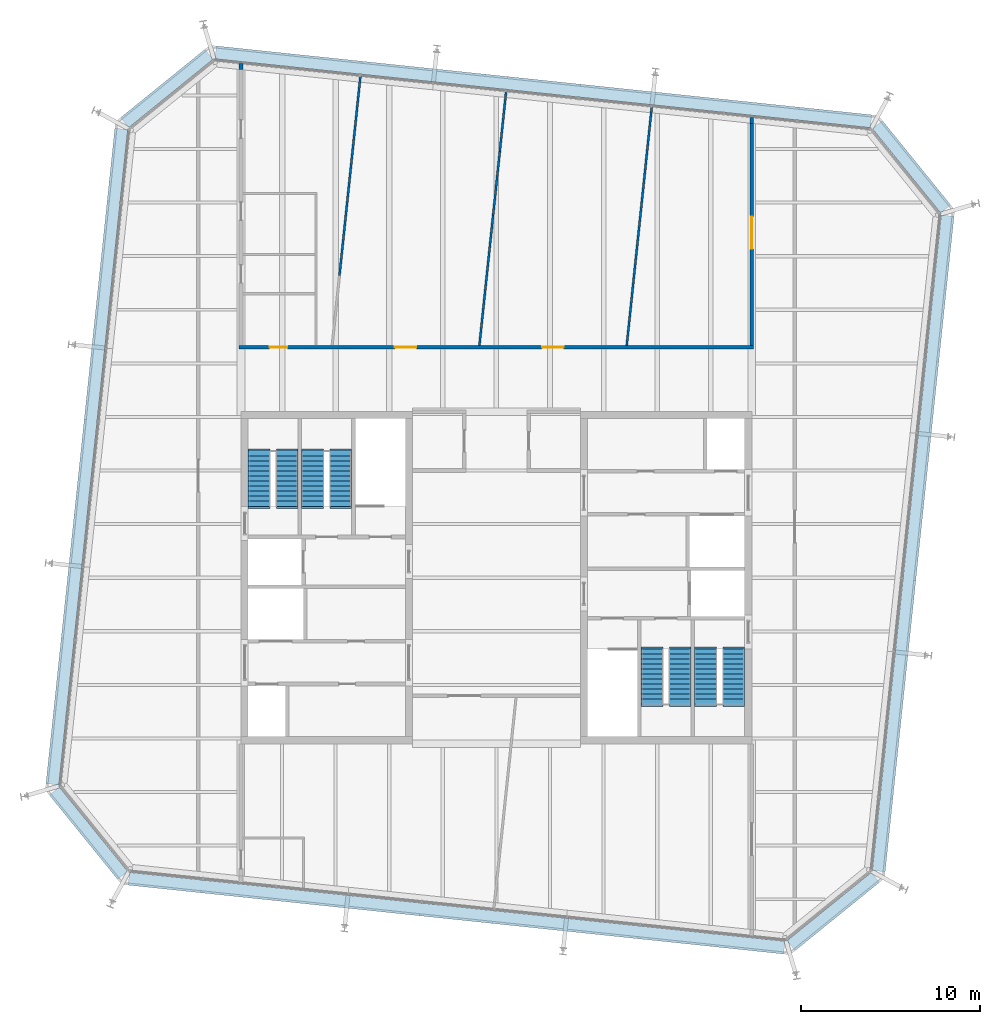
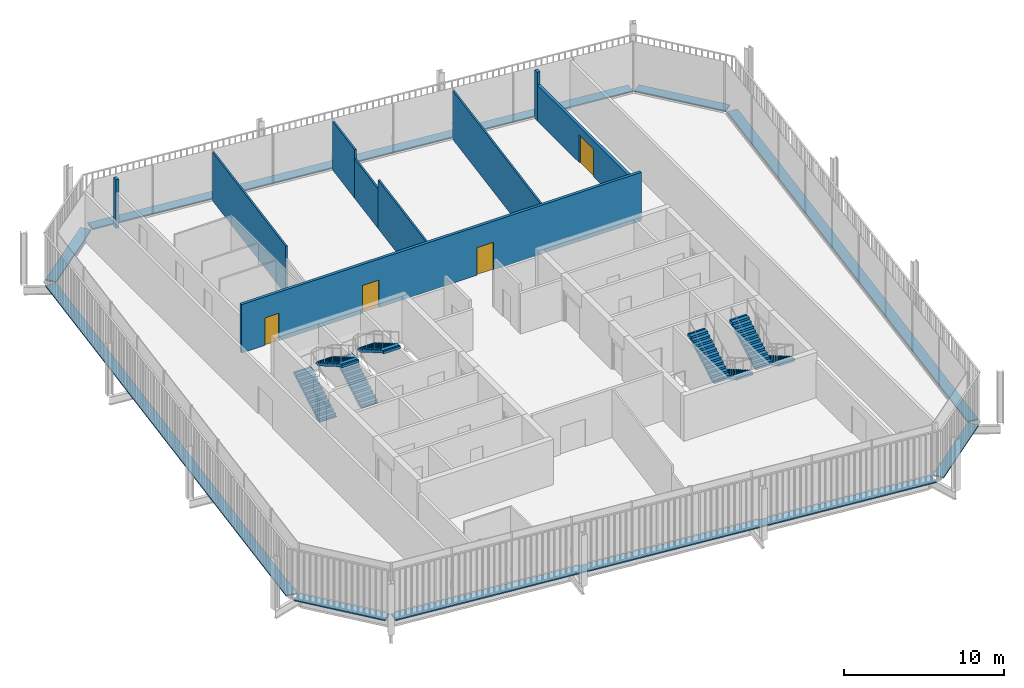
# One storey, part 18 of 19: 9 walls, 8 discrete accessories, 8 stair flights, 4 doors, 4 openings, 4 elements without a shape of their own.
"""IFC4 building model written with IfcOpenShell, lengths in metres."""

from ifc_helpers import new_model, si_unit, direction, frame, frame_2d, origin, origin_2d, place, context, subcontext, project, spatial, polyline, rectangle, outline, extrude, material, layer, layer_set, type_object, element, fill, aggregate, save


model = new_model("IFC4")

# Units and contexts
model_context = context("Model", 3, precision=1e-05, world=origin(), true_north=direction((0.0, 1.0)))
body_context = subcontext(model_context, "Body", "Model", "MODEL_VIEW")
ifc_project = project(units=[si_unit("LENGTHUNIT", "METRE"), si_unit("AREAUNIT", "SQUARE_METRE"), si_unit("VOLUMEUNIT", "CUBIC_METRE"), si_unit("PLANEANGLEUNIT", "RADIAN"), si_unit("MASSUNIT", "GRAM", prefix="KILO")], contexts=[model_context])

# Site, building, storey
site_placement = place(None, origin())
site = spatial("IfcSite", under=ifc_project, at=site_placement, CompositionType="ELEMENT")
building_placement = place(site_placement, origin())
building = spatial("IfcBuilding", under=site, at=building_placement, Name="Millrace Tower", CompositionType="ELEMENT")
storey_placement = place(building_placement, frame((0.0, 0.0, 338.199951171875)))
storey = spatial("IfcBuildingStorey", under=building, at=storey_placement, Name="L78", CompositionType="ELEMENT", Elevation=338.199951171875)

# Wall, openings, doors
ifc_material_1 = material(Name="Masonry partition, fire-rated", Category="masonry")
ifc_layer_1 = layer(ifc_material_1, 0.199951171875)
ifc_layer_set_1 = layer_set([ifc_layer_1], Name="Masonry partition, fire-rated")
wall_type_1 = type_object("IfcWallType", Name="Corridor wall 200", PredefinedType="PARTITIONING", material=ifc_layer_set_1)
wall_1_placement = place(storey_placement, frame((-14.39990234375, 12.89990234375, 0.0), z_axis=(0.0, 0.0, 1.0), x_axis=(1.0, 0.0, 0.0)))
wall_1 = element("IfcWall", 1, at=wall_1_placement, inside=storey, type_object=wall_type_1, Name="Corridor wall L78", PredefinedType="PARTITIONING", context=body_context, shape_type="SweptSolid", body=[
    extrude(rectangle(XDim=28.7998046875, YDim=0.199951171875, at=frame_2d((14.39990234375, 0.0))), origin(), (0.0, 0.0, 1.0), 3.699951171875),
])
opening_1_placement = place(wall_1_placement, frame((1.699951171875, 0.0, 0.0)))
opening_1 = element("IfcOpeningElement", 2, at=opening_1_placement, cuts=wall_1, Name="Opening 78-P005", PredefinedType="OPENING", context=body_context, shape_type="SweptSolid", body=[
    extrude(rectangle(XDim=1.0, YDim=2.10009765625, at=frame_2d((0.5, 1.050048828125))), frame((0.0, 0.10986328125, 0.0), z_axis=(0.0, -1.0, 0.0), x_axis=(1.0, 0.0, 0.0)), (0.0, 0.0, 1.0), 0.219970703125),
])
opening_2_placement = place(wall_1_placement, frame((8.714599609375, 0.0, 0.0)))
opening_2 = element("IfcOpeningElement", 3, at=opening_2_placement, cuts=wall_1, Name="Opening 78-P008", PredefinedType="OPENING", context=body_context, shape_type="SweptSolid", body=[
    extrude(rectangle(XDim=1.199951171875, YDim=2.10009765625, at=frame_2d((0.60009765625, 1.050048828125))), frame((0.0, 0.10986328125, 0.0), z_axis=(0.0, -1.0, 0.0), x_axis=(1.0, 0.0, 0.0)), (0.0, 0.0, 1.0), 0.219970703125),
])
opening_3_placement = place(wall_1_placement, frame((16.9599609375, 0.0, 0.0)))
opening_3 = element("IfcOpeningElement", 4, at=opening_3_placement, cuts=wall_1, Name="Opening 78-P009", PredefinedType="OPENING", context=body_context, shape_type="SweptSolid", body=[
    extrude(rectangle(XDim=1.199951171875, YDim=2.10009765625, at=frame_2d((0.60009765625, 1.050048828125))), frame((0.0, 0.10986328125, 0.0), z_axis=(0.0, -1.0, 0.0), x_axis=(1.0, 0.0, 0.0)), (0.0, 0.0, 1.0), 0.219970703125),
])
ifc_material_2 = material(Name="Steel door set, fire-rated", Category="steel")
door_type_1 = type_object("IfcDoorType", Name="Corridor door 1000 x 2100", OperationType="SINGLE_SWING_LEFT", PredefinedType="DOOR", material=ifc_material_2)
door_1_placement = place(opening_1_placement, origin())
door_1 = element("IfcDoor", 5, at=door_1_placement, inside=storey, type_object=door_type_1, Name="Door 78-P005", OperationType="SINGLE_SWING_LEFT", OverallHeight=2.10009765625, OverallWidth=1.0, PredefinedType="DOOR", context=body_context, shape_type="SweptSolid", body=[
    extrude(rectangle(XDim=1.0, YDim=2.10009765625, at=frame_2d((0.5, 1.050048828125))), frame((0.0, 0.02490234375, 0.0), z_axis=(0.0, -1.0, 0.0), x_axis=(1.0, 0.0, 0.0)), (0.0, 0.0, 1.0), 0.050048828125),
])
fill(opening_1, door_1)
ifc_material_3 = material(Name="Steel door set, fire-rated", Category="steel")
door_type_2 = type_object("IfcDoorType", Name="Corridor door 1200 x 2100", OperationType="SINGLE_SWING_LEFT", PredefinedType="DOOR", material=ifc_material_3)
door_2_placement = place(opening_2_placement, origin())
door_2 = element("IfcDoor", 6, at=door_2_placement, inside=storey, type_object=door_type_2, Name="Door 78-P008", OperationType="SINGLE_SWING_LEFT", OverallHeight=2.10009765625, OverallWidth=1.199951171875, PredefinedType="DOOR", context=body_context, shape_type="SweptSolid", body=[
    extrude(rectangle(XDim=1.199951171875, YDim=2.10009765625, at=frame_2d((0.60009765625, 1.050048828125))), frame((0.0, 0.02490234375, 0.0), z_axis=(0.0, -1.0, 0.0), x_axis=(1.0, 0.0, 0.0)), (0.0, 0.0, 1.0), 0.050048828125),
])
fill(opening_2, door_2)
door_3_placement = place(opening_3_placement, origin())
door_3 = element("IfcDoor", 7, at=door_3_placement, inside=storey, type_object=door_type_2, Name="Door 78-P009", OperationType="SINGLE_SWING_RIGHT", OverallHeight=2.10009765625, OverallWidth=1.199951171875, PredefinedType="DOOR", context=body_context, shape_type="SweptSolid", body=[
    extrude(rectangle(XDim=1.199951171875, YDim=2.10009765625, at=frame_2d((0.60009765625, 1.050048828125))), frame((0.0, 0.02490234375, 0.0), z_axis=(0.0, -1.0, 0.0), x_axis=(1.0, 0.0, 0.0)), (0.0, 0.0, 1.0), 0.050048828125),
])
fill(opening_3, door_3)

# Wall, opening, door
wall_2_placement = place(storey_placement, frame((14.300048828125, 13.0, 0.0), z_axis=(0.0, 0.0, 1.0), x_axis=(0.0, 1.0, 0.0)))
wall_2 = element("IfcWall", 8, at=wall_2_placement, inside=storey, type_object=wall_type_1, Name="Corridor wall L78", PredefinedType="PARTITIONING", context=body_context, shape_type="SweptSolid", body=[
    extrude(rectangle(XDim=12.434326171875, YDim=0.199951171875, at=frame_2d((6.21728515625, 0.0))), origin(), (0.0, 0.0, 1.0), 2.752685546875),
])
opening_4_placement = place(wall_2_placement, frame((5.41162109375, 0.0, 0.0)))
opening_4 = element("IfcOpeningElement", 9, at=opening_4_placement, cuts=wall_2, Name="Opening 78-P010", PredefinedType="OPENING", context=body_context, shape_type="SweptSolid", body=[
    extrude(rectangle(XDim=1.800048828125, YDim=2.10009765625, at=frame_2d((0.89990234375, 1.050048828125))), frame((0.0, 0.10986328125, 0.0), z_axis=(0.0, -1.0, 0.0), x_axis=(1.0, 0.0, 0.0)), (0.0, 0.0, 1.0), 0.219970703125),
])
ifc_material_4 = material(Name="Steel door set, fire-rated", Category="steel")
door_type_3 = type_object("IfcDoorType", Name="Corridor door 1800 x 2100", OperationType="DOUBLE_DOOR_SINGLE_SWING", PredefinedType="DOOR", material=ifc_material_4)
door_4_placement = place(opening_4_placement, origin())
door_4 = element("IfcDoor", 10, at=door_4_placement, inside=storey, type_object=door_type_3, Name="Door 78-P010", OperationType="DOUBLE_DOOR_SINGLE_SWING", OverallHeight=2.10009765625, OverallWidth=1.800048828125, PredefinedType="DOOR", context=body_context, shape_type="SweptSolid", body=[
    extrude(rectangle(XDim=1.800048828125, YDim=2.10009765625, at=frame_2d((0.89990234375, 1.050048828125))), frame((0.0, 0.02490234375, 0.0), z_axis=(0.0, -1.0, 0.0), x_axis=(1.0, 0.0, 0.0)), (0.0, 0.0, 1.0), 0.050048828125),
])
fill(opening_4, door_4)

# Walls
wall_3_placement = place(storey_placement, frame((14.300048828125, 25.434326171875, 0.0), z_axis=(0.0, 0.0, 1.0), x_axis=(0.0, 1.0, 0.0)))
element("IfcWall", 11, at=wall_3_placement, inside=storey, type_object=wall_type_1, Name="Corridor wall L78", PredefinedType="PARTITIONING", context=body_context, shape_type="SweptSolid", body=[
    extrude(rectangle(XDim=0.339111328125, YDim=0.199951171875, at=frame_2d((0.16943359375, 0.0))), origin(), (0.0, 0.0, 1.0), 3.699951171875),
])
wall_4_placement = place(storey_placement, frame((-14.300048828125, 28.440185546875, 0.0), z_axis=(0.0, 0.0, 1.0), x_axis=(0.0, 1.0, 0.0)))
element("IfcWall", 12, at=wall_4_placement, inside=storey, type_object=wall_type_1, Name="Corridor wall L78", PredefinedType="PARTITIONING", context=body_context, shape_type="SweptSolid", body=[
    extrude(rectangle(XDim=0.33935546875, YDim=0.199951171875, at=frame_2d((0.169677734375, 0.0))), origin(), (0.0, 0.0, 1.0), 3.699951171875),
])
ifc_material_5 = material(Name="Gypsum board partition")
ifc_layer_2 = layer(ifc_material_5, 0.1201171875)
ifc_layer_set_2 = layer_set([ifc_layer_2], Name="Gypsum board partition")
wall_type_2 = type_object("IfcWallType", Name="Partition wall 120", PredefinedType="PARTITIONING", material=ifc_layer_set_2)
wall_5_placement = place(storey_placement, frame((7.29345703125, 12.99951171875, 0.0), z_axis=(0.0, 0.0, 1.0), x_axis=(0.104478587956, 0.99452713621, 0.0)))
element("IfcWall", 13, at=wall_5_placement, inside=storey, type_object=wall_type_2, Name="Partition wall L78", PredefinedType="PARTITIONING", context=body_context, shape_type="SweptSolid", body=[
    extrude(rectangle(XDim=13.436279296875, YDim=0.1201171875, at=frame_2d((6.71826171875, 0.0))), origin(), (0.0, 0.0, 1.0), 3.699951171875),
])
wall_6_placement = place(storey_placement, frame((-0.95263671875, 12.99951171875, 0.0), z_axis=(0.0, 0.0, 1.0), x_axis=(0.104545776882, 0.994520075482, 0.0)))
element("IfcWall", 14, at=wall_6_placement, inside=storey, type_object=wall_type_2, Name="Partition wall L78", PredefinedType="PARTITIONING", context=body_context, shape_type="SweptSolid", body=[
    extrude(rectangle(XDim=7.31396484375, YDim=0.1201171875, at=frame_2d((3.656982421875, 0.0))), origin(), (0.0, 0.0, 1.0), 3.699951171875),
])
wall_7_placement = place(storey_placement, frame((-0.18798828125, 20.2734375, 0.0), z_axis=(0.0, 0.0, 1.0), x_axis=(0.104564611651, 0.994518095356, 0.0)))
element("IfcWall", 15, at=wall_7_placement, inside=storey, type_object=wall_type_2, Name="Partition wall L78", PredefinedType="PARTITIONING", context=body_context, shape_type="SweptSolid", body=[
    extrude(rectangle(XDim=3.595703125, YDim=0.1201171875, at=frame_2d((1.7978515625, 0.0))), origin(), (0.0, 0.0, 1.0), 3.006591796875),
])
wall_8_placement = place(storey_placement, frame((0.18798828125, 23.849365234375, 0.0), z_axis=(0.0, 0.0, 1.0), x_axis=(0.104538520452, 0.994520838264, 0.0)))
element("IfcWall", 16, at=wall_8_placement, inside=storey, type_object=wall_type_2, Name="Partition wall L78", PredefinedType="PARTITIONING", context=body_context, shape_type="SweptSolid", body=[
    extrude(rectangle(XDim=3.388671875, YDim=0.1201171875, at=frame_2d((1.6943359375, 0.0))), origin(), (0.0, 0.0, 1.0), 3.699951171875),
])
wall_9_placement = place(storey_placement, frame((-8.78662109375, 16.90869140625, 0.0), z_axis=(0.0, 0.0, 1.0), x_axis=(0.10453086869, 0.994521642545, 0.0)))
element("IfcWall", 17, at=wall_9_placement, inside=storey, type_object=wall_type_2, Name="Partition wall L78", PredefinedType="PARTITIONING", context=body_context, shape_type="SweptSolid", body=[
    extrude(rectangle(XDim=11.2294921875, YDim=0.1201171875, at=frame_2d((5.61474609375, 0.0))), origin(), (0.0, 0.0, 1.0), 3.699951171875),
])

# Stair, stair flights
ifc_material_6 = material(Name="Concrete C35", Category="concrete")
stair_type = type_object("IfcStairType", Name="Exit stair", PredefinedType="HALF_TURN_STAIR", material=ifc_material_6)
placement = place(storey_placement, origin())
stair_1 = element("IfcStair", 18, at=placement, inside=storey, type_object=stair_type, Name="Stair 1 W L78", PredefinedType="HALF_TURN_STAIR")
ifc_material_7 = material(Name="Concrete C35", Category="concrete")
stair_flight_type = type_object("IfcStairFlightType", Name="Exit stair flight", PredefinedType="STRAIGHT", material=ifc_material_7)
stair_flight_1_placement = place(storey_placement, frame((-13.2900390625, 4.0, 0.0), z_axis=(0.0, 0.0, 1.0), x_axis=(0.0, 1.0, 0.0)))
stair_flight_1 = element("IfcStairFlight", 19, at=stair_flight_1_placement, type_object=stair_flight_type, Name="ST12 flight 1", NumberOfRisers=12, NumberOfTreads=11, PredefinedType="STRAIGHT", RiserHeight=0.1625, TreadLength=0.28, context=body_context, shape_type="SweptSolid", body=[
    extrude(outline(polyline([(-0.1201171875, -0.0400390625), (-0.1201171875, 0.0), (0.0, 0.0), (0.0, 0.16259765625), (0.280029296875, 0.16259765625), (0.280029296875, 0.324951171875), (0.56005859375, 0.324951171875), (0.56005859375, 0.487548828125), (0.840087890625, 0.487548828125), (0.840087890625, 0.64990234375), (1.1201171875, 0.64990234375), (1.1201171875, 0.8125), (1.39990234375, 0.8125), (1.39990234375, 0.97509765625), (1.679931640625, 0.97509765625), (1.679931640625, 1.137451171875), (1.9599609375, 1.137451171875), (1.9599609375, 1.300048828125), (2.239990234375, 1.300048828125), (2.239990234375, 1.46240234375), (2.52001953125, 1.46240234375), (2.52001953125, 1.625), (2.800048828125, 1.625), (2.800048828125, 1.78759765625), (3.080078125, 1.78759765625), (3.080078125, 1.8076171875), (3.199951171875, 1.8076171875), (3.199951171875, 1.6142578125), (3.080078125, 1.6142578125), (0.298583984375, 0.0), (0.298583984375, -0.0400390625), (-0.1201171875, -0.0400390625)])), frame((0.0, 0.60986328125, 0.0), z_axis=(0.0, -1.0, 0.0), x_axis=(1.0, 0.0, 0.0)), (0.0, 0.0, 1.0), 1.219970703125),
])
stair_flight_2_placement = place(storey_placement, frame((-11.7099609375, 7.080078125, 1.949951171875), z_axis=(0.0, 0.0, 1.0), x_axis=(0.0, -1.0, 0.0)))
stair_flight_2 = element("IfcStairFlight", 20, at=stair_flight_2_placement, type_object=stair_flight_type, Name="ST12 flight 2", NumberOfRisers=12, NumberOfTreads=11, PredefinedType="STRAIGHT", RiserHeight=0.1625, TreadLength=0.28, context=body_context, shape_type="SweptSolid", body=[
    extrude(outline(polyline([(-0.1201171875, -0.0400390625), (-0.1201171875, 0.0), (0.0, 0.0), (0.0, 0.16259765625), (0.280029296875, 0.16259765625), (0.280029296875, 0.324951171875), (0.56005859375, 0.324951171875), (0.56005859375, 0.487548828125), (0.840087890625, 0.487548828125), (0.840087890625, 0.64990234375), (1.1201171875, 0.64990234375), (1.1201171875, 0.8125), (1.39990234375, 0.8125), (1.39990234375, 0.97509765625), (1.679931640625, 0.97509765625), (1.679931640625, 1.137451171875), (1.9599609375, 1.137451171875), (1.9599609375, 1.300048828125), (2.239990234375, 1.300048828125), (2.239990234375, 1.46240234375), (2.52001953125, 1.46240234375), (2.52001953125, 1.625), (2.800048828125, 1.625), (2.800048828125, 1.78759765625), (3.080078125, 1.78759765625), (3.080078125, 1.8076171875), (3.199951171875, 1.8076171875), (3.199951171875, 1.6142578125), (3.080078125, 1.6142578125), (0.298583984375, 0.0), (0.298583984375, -0.0400390625), (-0.1201171875, -0.0400390625)])), frame((0.0, 0.60986328125, 0.0), z_axis=(0.0, -1.0, 0.0), x_axis=(1.0, 0.0, 0.0)), (0.0, 0.0, 1.0), 1.219970703125),
])
aggregate(stair_1, [stair_flight_1, stair_flight_2])

stair_2 = element("IfcStair", 21, at=placement, inside=storey, type_object=stair_type, Name="Stair 2 W L78", PredefinedType="HALF_TURN_STAIR")
stair_flight_3_placement = place(storey_placement, frame((-10.2900390625, 4.0, 0.0), z_axis=(0.0, 0.0, 1.0), x_axis=(0.0, 1.0, 0.0)))
stair_flight_3 = element("IfcStairFlight", 22, at=stair_flight_3_placement, type_object=stair_flight_type, Name="ST12 flight 1", NumberOfRisers=12, NumberOfTreads=11, PredefinedType="STRAIGHT", RiserHeight=0.1625, TreadLength=0.28, context=body_context, shape_type="SweptSolid", body=[
    extrude(outline(polyline([(-0.1201171875, -0.0400390625), (-0.1201171875, 0.0), (0.0, 0.0), (0.0, 0.16259765625), (0.280029296875, 0.16259765625), (0.280029296875, 0.324951171875), (0.56005859375, 0.324951171875), (0.56005859375, 0.487548828125), (0.840087890625, 0.487548828125), (0.840087890625, 0.64990234375), (1.1201171875, 0.64990234375), (1.1201171875, 0.8125), (1.39990234375, 0.8125), (1.39990234375, 0.97509765625), (1.679931640625, 0.97509765625), (1.679931640625, 1.137451171875), (1.9599609375, 1.137451171875), (1.9599609375, 1.300048828125), (2.239990234375, 1.300048828125), (2.239990234375, 1.46240234375), (2.52001953125, 1.46240234375), (2.52001953125, 1.625), (2.800048828125, 1.625), (2.800048828125, 1.78759765625), (3.080078125, 1.78759765625), (3.080078125, 1.8076171875), (3.199951171875, 1.8076171875), (3.199951171875, 1.6142578125), (3.080078125, 1.6142578125), (0.298583984375, 0.0), (0.298583984375, -0.0400390625), (-0.1201171875, -0.0400390625)])), frame((0.0, 0.60986328125, 0.0), z_axis=(0.0, -1.0, 0.0), x_axis=(1.0, 0.0, 0.0)), (0.0, 0.0, 1.0), 1.219970703125),
])
stair_flight_4_placement = place(storey_placement, frame((-8.7099609375, 7.080078125, 1.949951171875), z_axis=(0.0, 0.0, 1.0), x_axis=(0.0, -1.0, 0.0)))
stair_flight_4 = element("IfcStairFlight", 23, at=stair_flight_4_placement, type_object=stair_flight_type, Name="ST12 flight 2", NumberOfRisers=12, NumberOfTreads=11, PredefinedType="STRAIGHT", RiserHeight=0.1625, TreadLength=0.28, context=body_context, shape_type="SweptSolid", body=[
    extrude(outline(polyline([(-0.1201171875, -0.0400390625), (-0.1201171875, 0.0), (0.0, 0.0), (0.0, 0.16259765625), (0.280029296875, 0.16259765625), (0.280029296875, 0.324951171875), (0.56005859375, 0.324951171875), (0.56005859375, 0.487548828125), (0.840087890625, 0.487548828125), (0.840087890625, 0.64990234375), (1.1201171875, 0.64990234375), (1.1201171875, 0.8125), (1.39990234375, 0.8125), (1.39990234375, 0.97509765625), (1.679931640625, 0.97509765625), (1.679931640625, 1.137451171875), (1.9599609375, 1.137451171875), (1.9599609375, 1.300048828125), (2.239990234375, 1.300048828125), (2.239990234375, 1.46240234375), (2.52001953125, 1.46240234375), (2.52001953125, 1.625), (2.800048828125, 1.625), (2.800048828125, 1.78759765625), (3.080078125, 1.78759765625), (3.080078125, 1.8076171875), (3.199951171875, 1.8076171875), (3.199951171875, 1.6142578125), (3.080078125, 1.6142578125), (0.298583984375, 0.0), (0.298583984375, -0.0400390625), (-0.1201171875, -0.0400390625)])), frame((0.0, 0.60986328125, 0.0), z_axis=(0.0, -1.0, 0.0), x_axis=(1.0, 0.0, 0.0)), (0.0, 0.0, 1.0), 1.219970703125),
])
aggregate(stair_2, [stair_flight_3, stair_flight_4])

stair_3 = element("IfcStair", 24, at=placement, inside=storey, type_object=stair_type, Name="Stair 1 E L78", PredefinedType="HALF_TURN_STAIR")
stair_flight_5_placement = place(storey_placement, frame((13.2900390625, -4.0, 0.0), z_axis=(0.0, 0.0, 1.0), x_axis=(0.0, -1.0, 0.0)))
stair_flight_5 = element("IfcStairFlight", 25, at=stair_flight_5_placement, type_object=stair_flight_type, Name="ST12 flight 1", NumberOfRisers=12, NumberOfTreads=11, PredefinedType="STRAIGHT", RiserHeight=0.1625, TreadLength=0.28, context=body_context, shape_type="SweptSolid", body=[
    extrude(outline(polyline([(-0.1201171875, -0.0400390625), (-0.1201171875, 0.0), (0.0, 0.0), (0.0, 0.16259765625), (0.280029296875, 0.16259765625), (0.280029296875, 0.324951171875), (0.56005859375, 0.324951171875), (0.56005859375, 0.487548828125), (0.840087890625, 0.487548828125), (0.840087890625, 0.64990234375), (1.1201171875, 0.64990234375), (1.1201171875, 0.8125), (1.39990234375, 0.8125), (1.39990234375, 0.97509765625), (1.679931640625, 0.97509765625), (1.679931640625, 1.137451171875), (1.9599609375, 1.137451171875), (1.9599609375, 1.300048828125), (2.239990234375, 1.300048828125), (2.239990234375, 1.46240234375), (2.52001953125, 1.46240234375), (2.52001953125, 1.625), (2.800048828125, 1.625), (2.800048828125, 1.78759765625), (3.080078125, 1.78759765625), (3.080078125, 1.8076171875), (3.199951171875, 1.8076171875), (3.199951171875, 1.6142578125), (3.080078125, 1.6142578125), (0.298583984375, 0.0), (0.298583984375, -0.0400390625), (-0.1201171875, -0.0400390625)])), frame((0.0, 0.60986328125, 0.0), z_axis=(0.0, -1.0, 0.0), x_axis=(1.0, 0.0, 0.0)), (0.0, 0.0, 1.0), 1.219970703125),
])
stair_flight_6_placement = place(storey_placement, frame((11.7099609375, -7.080078125, 1.949951171875), z_axis=(0.0, 0.0, 1.0), x_axis=(0.0, 1.0, 0.0)))
stair_flight_6 = element("IfcStairFlight", 26, at=stair_flight_6_placement, type_object=stair_flight_type, Name="ST12 flight 2", NumberOfRisers=12, NumberOfTreads=11, PredefinedType="STRAIGHT", RiserHeight=0.1625, TreadLength=0.28, context=body_context, shape_type="SweptSolid", body=[
    extrude(outline(polyline([(-0.1201171875, -0.0400390625), (-0.1201171875, 0.0), (0.0, 0.0), (0.0, 0.16259765625), (0.280029296875, 0.16259765625), (0.280029296875, 0.324951171875), (0.56005859375, 0.324951171875), (0.56005859375, 0.487548828125), (0.840087890625, 0.487548828125), (0.840087890625, 0.64990234375), (1.1201171875, 0.64990234375), (1.1201171875, 0.8125), (1.39990234375, 0.8125), (1.39990234375, 0.97509765625), (1.679931640625, 0.97509765625), (1.679931640625, 1.137451171875), (1.9599609375, 1.137451171875), (1.9599609375, 1.300048828125), (2.239990234375, 1.300048828125), (2.239990234375, 1.46240234375), (2.52001953125, 1.46240234375), (2.52001953125, 1.625), (2.800048828125, 1.625), (2.800048828125, 1.78759765625), (3.080078125, 1.78759765625), (3.080078125, 1.8076171875), (3.199951171875, 1.8076171875), (3.199951171875, 1.6142578125), (3.080078125, 1.6142578125), (0.298583984375, 0.0), (0.298583984375, -0.0400390625), (-0.1201171875, -0.0400390625)])), frame((0.0, 0.60986328125, 0.0), z_axis=(0.0, -1.0, 0.0), x_axis=(1.0, 0.0, 0.0)), (0.0, 0.0, 1.0), 1.219970703125),
])
aggregate(stair_3, [stair_flight_5, stair_flight_6])

stair_4 = element("IfcStair", 27, at=placement, inside=storey, type_object=stair_type, Name="Stair 2 E L78", PredefinedType="HALF_TURN_STAIR")
stair_flight_7_placement = place(storey_placement, frame((10.2900390625, -4.0, 0.0), z_axis=(0.0, 0.0, 1.0), x_axis=(0.0, -1.0, 0.0)))
stair_flight_7 = element("IfcStairFlight", 28, at=stair_flight_7_placement, type_object=stair_flight_type, Name="ST12 flight 1", NumberOfRisers=12, NumberOfTreads=11, PredefinedType="STRAIGHT", RiserHeight=0.1625, TreadLength=0.28, context=body_context, shape_type="SweptSolid", body=[
    extrude(outline(polyline([(-0.1201171875, -0.0400390625), (-0.1201171875, 0.0), (0.0, 0.0), (0.0, 0.16259765625), (0.280029296875, 0.16259765625), (0.280029296875, 0.324951171875), (0.56005859375, 0.324951171875), (0.56005859375, 0.487548828125), (0.840087890625, 0.487548828125), (0.840087890625, 0.64990234375), (1.1201171875, 0.64990234375), (1.1201171875, 0.8125), (1.39990234375, 0.8125), (1.39990234375, 0.97509765625), (1.679931640625, 0.97509765625), (1.679931640625, 1.137451171875), (1.9599609375, 1.137451171875), (1.9599609375, 1.300048828125), (2.239990234375, 1.300048828125), (2.239990234375, 1.46240234375), (2.52001953125, 1.46240234375), (2.52001953125, 1.625), (2.800048828125, 1.625), (2.800048828125, 1.78759765625), (3.080078125, 1.78759765625), (3.080078125, 1.8076171875), (3.199951171875, 1.8076171875), (3.199951171875, 1.6142578125), (3.080078125, 1.6142578125), (0.298583984375, 0.0), (0.298583984375, -0.0400390625), (-0.1201171875, -0.0400390625)])), frame((0.0, 0.60986328125, 0.0), z_axis=(0.0, -1.0, 0.0), x_axis=(1.0, 0.0, 0.0)), (0.0, 0.0, 1.0), 1.219970703125),
])
stair_flight_8_placement = place(storey_placement, frame((8.7099609375, -7.080078125, 1.949951171875), z_axis=(0.0, 0.0, 1.0), x_axis=(0.0, 1.0, 0.0)))
stair_flight_8 = element("IfcStairFlight", 29, at=stair_flight_8_placement, type_object=stair_flight_type, Name="ST12 flight 2", NumberOfRisers=12, NumberOfTreads=11, PredefinedType="STRAIGHT", RiserHeight=0.1625, TreadLength=0.28, context=body_context, shape_type="SweptSolid", body=[
    extrude(outline(polyline([(-0.1201171875, -0.0400390625), (-0.1201171875, 0.0), (0.0, 0.0), (0.0, 0.16259765625), (0.280029296875, 0.16259765625), (0.280029296875, 0.324951171875), (0.56005859375, 0.324951171875), (0.56005859375, 0.487548828125), (0.840087890625, 0.487548828125), (0.840087890625, 0.64990234375), (1.1201171875, 0.64990234375), (1.1201171875, 0.8125), (1.39990234375, 0.8125), (1.39990234375, 0.97509765625), (1.679931640625, 0.97509765625), (1.679931640625, 1.137451171875), (1.9599609375, 1.137451171875), (1.9599609375, 1.300048828125), (2.239990234375, 1.300048828125), (2.239990234375, 1.46240234375), (2.52001953125, 1.46240234375), (2.52001953125, 1.625), (2.800048828125, 1.625), (2.800048828125, 1.78759765625), (3.080078125, 1.78759765625), (3.080078125, 1.8076171875), (3.199951171875, 1.8076171875), (3.199951171875, 1.6142578125), (3.080078125, 1.6142578125), (0.298583984375, 0.0), (0.298583984375, -0.0400390625), (-0.1201171875, -0.0400390625)])), frame((0.0, 0.60986328125, 0.0), z_axis=(0.0, -1.0, 0.0), x_axis=(1.0, 0.0, 0.0)), (0.0, 0.0, 1.0), 1.219970703125),
])
aggregate(stair_4, [stair_flight_7, stair_flight_8])

# Discrete accessories
ifc_material_8 = material(Name="Stainless steel ASTM A240 type 316", Category="steel")
discrete_accessory_type = type_object("IfcDiscreteAccessoryType", Name="Thermally broken screen support rail", PredefinedType="BRACKET", material=ifc_material_8)
discrete_accessory_1_placement = place(storey_placement, frame((-22.836669921875, -14.304931640625, 0.0), z_axis=(0.0, 0.0, 1.0), x_axis=(0.629320278945, -0.777146052237, 0.0)))
element("IfcDiscreteAccessory", 30, at=discrete_accessory_1_placement, inside=storey, type_object=discrete_accessory_type, Name="Thermally broken screen support rail E-F01 L78 1", PredefinedType="BRACKET", context=body_context, shape_type="SweptSolid", body=[
    extrude(rectangle(XDim=6.0810546875, YDim=0.719970703125, at=origin_2d()), origin(), (0.0, 0.0, 1.0), 0.10009765625),
])
discrete_accessory_2_placement = place(storey_placement, frame((-2.2314453125, -18.782470703125, 0.0), z_axis=(0.0, 0.0, 1.0), x_axis=(0.994521896217, -0.104528455196, 0.0)))
element("IfcDiscreteAccessory", 31, at=discrete_accessory_2_placement, inside=storey, type_object=discrete_accessory_type, Name="Thermally broken screen support rail E-F02 L78 1", PredefinedType="BRACKET", context=body_context, shape_type="SweptSolid", body=[
    extrude(rectangle(XDim=36.89990234375, YDim=0.719970703125, at=origin_2d()), origin(), (0.0, 0.0, 1.0), 0.10009765625),
])
discrete_accessory_3_placement = place(storey_placement, frame((18.854736328125, -18.686767578125, 0.0), z_axis=(0.0, 0.0, 1.0), x_axis=(0.777146052237, 0.629320278945, 0.0)))
element("IfcDiscreteAccessory", 32, at=discrete_accessory_3_placement, inside=storey, type_object=discrete_accessory_type, Name="Thermally broken screen support rail E-F03 L78 1", PredefinedType="BRACKET", context=body_context, shape_type="SweptSolid", body=[
    extrude(rectangle(XDim=6.0810546875, YDim=0.719970703125, at=origin_2d()), origin(), (0.0, 0.0, 1.0), 0.10009765625),
])
discrete_accessory_4_placement = place(storey_placement, frame((23.33251953125, 1.918701171875, 0.0), z_axis=(0.0, 0.0, 1.0), x_axis=(0.104528455196, 0.994521896217, 0.0)))
element("IfcDiscreteAccessory", 33, at=discrete_accessory_4_placement, inside=storey, type_object=discrete_accessory_type, Name="Thermally broken screen support rail E-F04 L78 1", PredefinedType="BRACKET", context=body_context, shape_type="SweptSolid", body=[
    extrude(rectangle(XDim=36.89990234375, YDim=0.719970703125, at=origin_2d()), origin(), (0.0, 0.0, 1.0), 0.10009765625),
])
discrete_accessory_5_placement = place(storey_placement, frame((23.23681640625, 23.0048828125, 0.0), z_axis=(0.0, 0.0, 1.0), x_axis=(-0.629320278945, 0.777146052237, 0.0)))
element("IfcDiscreteAccessory", 34, at=discrete_accessory_5_placement, inside=storey, type_object=discrete_accessory_type, Name="Thermally broken screen support rail E-F05 L78 1", PredefinedType="BRACKET", context=body_context, shape_type="SweptSolid", body=[
    extrude(rectangle(XDim=6.0810546875, YDim=0.719970703125, at=origin_2d()), origin(), (0.0, 0.0, 1.0), 0.10009765625),
])
discrete_accessory_6_placement = place(storey_placement, frame((2.63134765625, 27.482666015625, 0.0), z_axis=(0.0, 0.0, 1.0), x_axis=(-0.994521896217, 0.104528455196, 0.0)))
element("IfcDiscreteAccessory", 35, at=discrete_accessory_6_placement, inside=storey, type_object=discrete_accessory_type, Name="Thermally broken screen support rail E-F06 L78 1", PredefinedType="BRACKET", context=body_context, shape_type="SweptSolid", body=[
    extrude(rectangle(XDim=36.89990234375, YDim=0.719970703125, at=origin_2d()), origin(), (0.0, 0.0, 1.0), 0.10009765625),
])
discrete_accessory_7_placement = place(storey_placement, frame((-18.454833984375, 27.38671875, 0.0), z_axis=(0.0, 0.0, 1.0), x_axis=(-0.777146052237, -0.629320278945, 0.0)))
element("IfcDiscreteAccessory", 36, at=discrete_accessory_7_placement, inside=storey, type_object=discrete_accessory_type, Name="Thermally broken screen support rail E-F07 L78 1", PredefinedType="BRACKET", context=body_context, shape_type="SweptSolid", body=[
    extrude(rectangle(XDim=6.0810546875, YDim=0.719970703125, at=origin_2d()), origin(), (0.0, 0.0, 1.0), 0.10009765625),
])
discrete_accessory_8_placement = place(storey_placement, frame((-22.9326171875, 6.78125, 0.0), z_axis=(0.0, 0.0, 1.0), x_axis=(-0.104528455196, -0.994521896217, 0.0)))
element("IfcDiscreteAccessory", 37, at=discrete_accessory_8_placement, inside=storey, type_object=discrete_accessory_type, Name="Thermally broken screen support rail E-F08 L78 1", PredefinedType="BRACKET", context=body_context, shape_type="SweptSolid", body=[
    extrude(rectangle(XDim=36.89990234375, YDim=0.719970703125, at=origin_2d()), origin(), (0.0, 0.0, 1.0), 0.10009765625),
])

save(model, "model.ifc")
